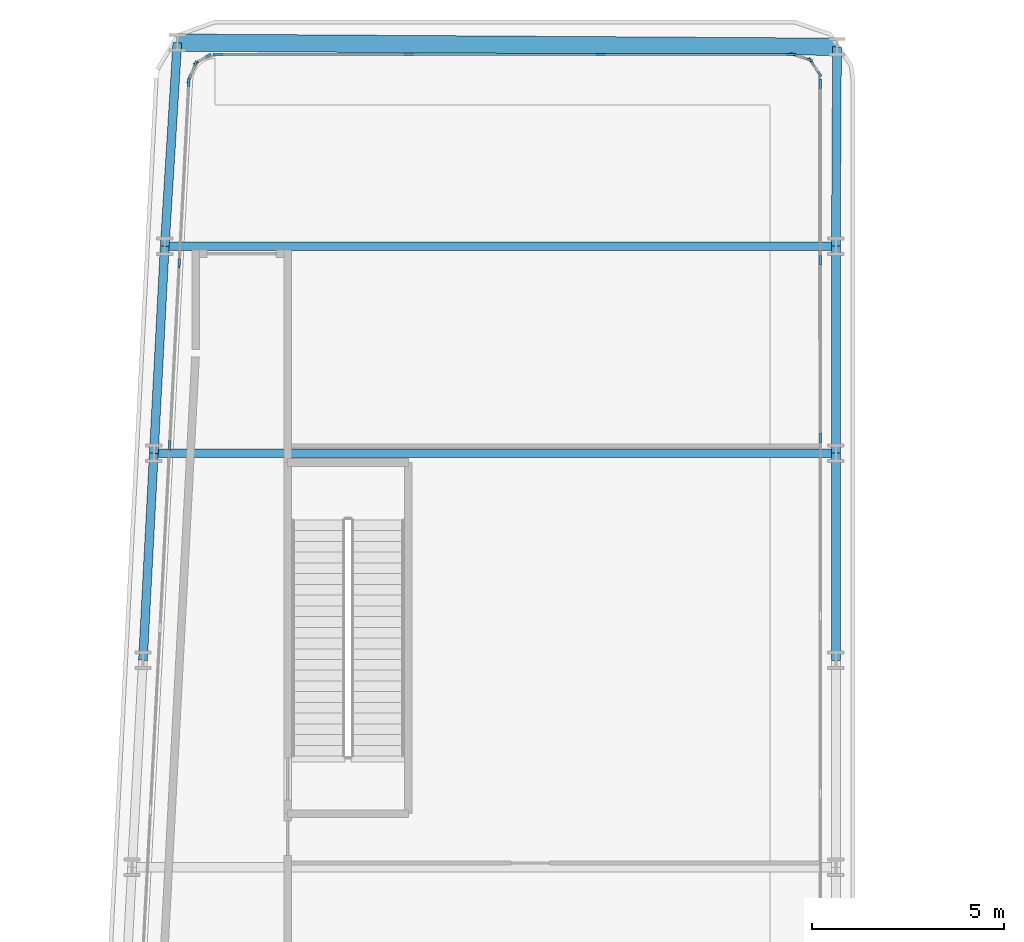
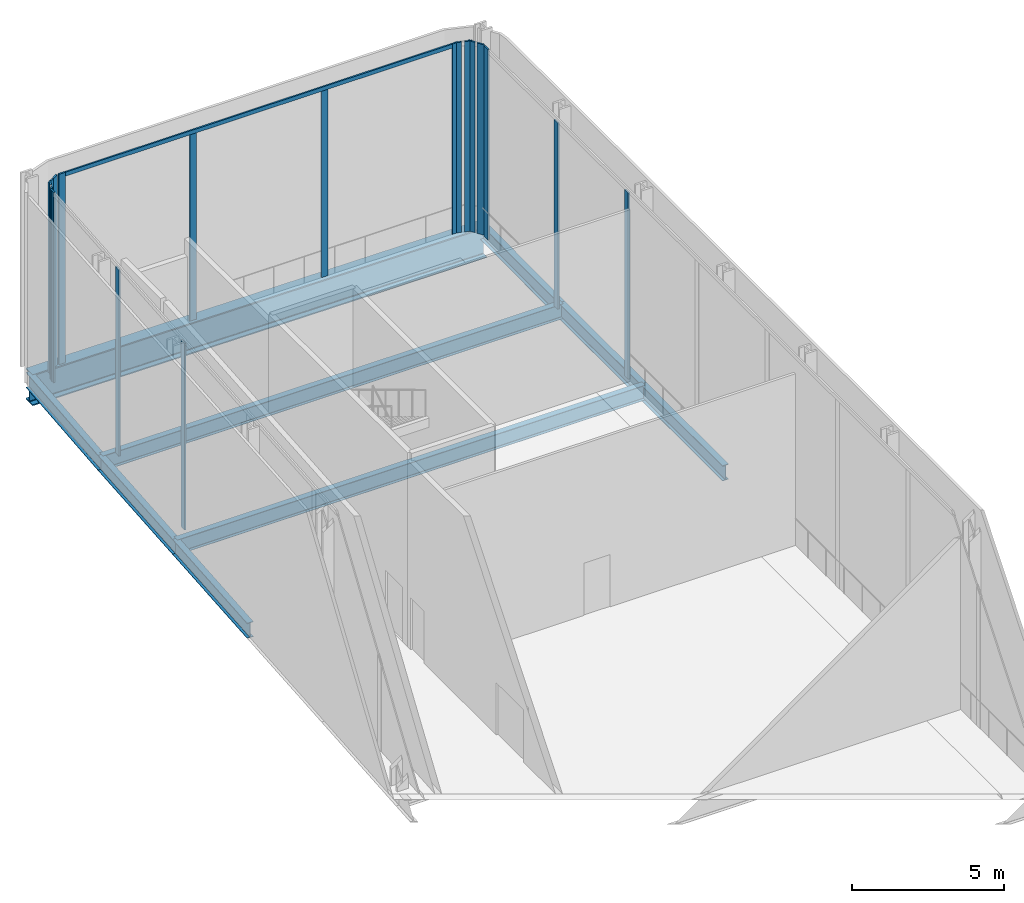
# One storey, part 16 of 36: 19 members, 9 beams, 7 elements without a shape of their own.
"""IFC4 building model written with IfcOpenShell, lengths in metres."""

from ifc_helpers import new_model, si_unit, direction, frame, origin, origin_2d, place, context, subcontext, project, spatial, rectangle, i_section, extrude, material, layer, layer_set, material_profile, profile_set, type_object, element, aggregate, save


model = new_model("IFC4")

# Units and contexts
model_context = context("Model", 3, precision=1e-05, world=origin(), true_north=direction((0.0, 1.0)))
body_context = subcontext(model_context, "Body", "Model", "MODEL_VIEW")
ifc_project = project(units=[si_unit("LENGTHUNIT", "METRE"), si_unit("AREAUNIT", "SQUARE_METRE"), si_unit("VOLUMEUNIT", "CUBIC_METRE"), si_unit("PLANEANGLEUNIT", "RADIAN"), si_unit("MASSUNIT", "GRAM", prefix="KILO")], contexts=[model_context])

# Site, building, storey
site_placement = place(None, origin())
site = spatial("IfcSite", under=ifc_project, at=site_placement, CompositionType="ELEMENT")
building_placement = place(site_placement, origin())
building = spatial("IfcBuilding", under=site, at=building_placement, Name="Kheshtan School and Residences Tower", CompositionType="ELEMENT")
storey_placement = place(building_placement, frame((0.0, 0.0, 81.199951171875)))
storey = spatial("IfcBuildingStorey", under=building, at=storey_placement, Name="L19", CompositionType="ELEMENT", Elevation=81.199951171875)

# Beams
ifc_material_1 = material(Name="Steel ASTM A992 Grade 50", Category="steel")
ifc_material_profile_1 = material_profile(ifc_material_1, i_section(OverallWidth=0.22802734375, OverallDepth=0.60302734375, WebThickness=0.010498046875, FlangeThickness=0.014892578125, FilletRadius=0.013427734375, at=origin_2d()), Name="W610x101")
ifc_profile_set_1 = profile_set([ifc_material_profile_1], Name="Steel ASTM A992 Grade 50")
beam_type_1 = type_object("IfcBeamType", Name="Beam FB5 W610x101 ASTM A992 Grade 50", PredefinedType="BEAM", material=ifc_profile_set_1)
beam_1_placement = place(storey_placement, frame((47.60009765625, 94.199951171875, -0.451416015625), z_axis=(-1.0, 0.0, 0.0), x_axis=(0.0, -1.0, 0.0)))
element("IfcBeam", 1, at=beam_1_placement, inside=storey, type_object=beam_type_1, Name="Floor beam C107", PredefinedType="BEAM", context=body_context, shape_type="SweptSolid", body=[
    extrude(i_section(OverallWidth=0.22802734375, OverallDepth=0.60302734375, WebThickness=0.010498046875, FlangeThickness=0.014892578125, FilletRadius=0.013427734375, at=origin_2d()), origin(), (0.0, 0.0, 1.0), 17.505126953125),
])
beam_2_placement = place(storey_placement, frame((29.81103515625, 88.800048828125, -0.451416015625), z_axis=(1.0, 0.0, 0.0), x_axis=(0.0, 1.0, 0.0)))
element("IfcBeam", 2, at=beam_2_placement, inside=storey, type_object=beam_type_1, Name="Floor beam C098", PredefinedType="BEAM", context=body_context, shape_type="SweptSolid", body=[
    extrude(i_section(OverallWidth=0.22802734375, OverallDepth=0.60302734375, WebThickness=0.010498046875, FlangeThickness=0.014892578125, FilletRadius=0.013427734375, at=origin_2d()), origin(), (0.0, 0.0, 1.0), 17.7890625),
])
ifc_material_profile_2 = material_profile(ifc_material_1, i_section(OverallWidth=0.22998046875, OverallDepth=0.616943359375, WebThickness=0.01318359375, FlangeThickness=0.022216796875, FilletRadius=0.0185546875, at=origin_2d()), Name="W610x140")
ifc_profile_set_2 = profile_set([ifc_material_profile_2], Name="Steel ASTM A992 Grade 50")
beam_type_2 = type_object("IfcBeamType", Name="Beam SP1 W610x140 ASTM A992 Grade 50", PredefinedType="BEAM", material=ifc_profile_set_2)
beam_3_placement = place(storey_placement, frame((47.6298828125, 99.402099609375, -0.45849609375), z_axis=(-0.005725455245, -0.999983609447, 0.0), x_axis=(0.999983609447, -0.005725455245, 0.0)))
element("IfcBeam", 3, at=beam_3_placement, inside=storey, type_object=beam_type_2, Name="Spandrel beam C113-C107", PredefinedType="BEAM", context=body_context, shape_type="SweptSolid", body=[
    extrude(i_section(OverallWidth=0.22998046875, OverallDepth=0.616943359375, WebThickness=0.01318359375, FlangeThickness=0.022216796875, FilletRadius=0.0185546875, at=origin_2d()), origin(), (0.0, 0.0, 1.0), 5.2021484375),
])
beam_4_placement = place(storey_placement, frame((47.60009765625, 94.199951171875, -0.45849609375), z_axis=(0.0, -1.0, 0.0), x_axis=(1.0, 0.0, 0.0)))
element("IfcBeam", 4, at=beam_4_placement, inside=storey, type_object=beam_type_2, Name="Spandrel beam C107-C099", PredefinedType="BEAM", context=body_context, shape_type="SweptSolid", body=[
    extrude(i_section(OverallWidth=0.22998046875, OverallDepth=0.616943359375, WebThickness=0.01318359375, FlangeThickness=0.022216796875, FilletRadius=0.0185546875, at=origin_2d()), origin(), (0.0, 0.0, 1.0), 5.39990234375),
])
beam_5_placement = place(storey_placement, frame((47.60009765625, 88.800048828125, -0.45849609375), z_axis=(0.0, -1.0, 0.0), x_axis=(1.0, 0.0, 0.0)))
element("IfcBeam", 5, at=beam_5_placement, inside=storey, type_object=beam_type_2, Name="Spandrel beam C099-C091", PredefinedType="BEAM", context=body_context, shape_type="SweptSolid", body=[
    extrude(i_section(OverallWidth=0.22998046875, OverallDepth=0.616943359375, WebThickness=0.01318359375, FlangeThickness=0.022216796875, FilletRadius=0.0185546875, at=origin_2d()), origin(), (0.0, 0.0, 1.0), 5.400146484375),
])
beam_6_placement = place(storey_placement, frame((29.527099609375, 83.39990234375, -0.45849609375), z_axis=(0.05250670125, 0.998620571751, 0.0), x_axis=(-0.998620571751, 0.05250670125, 0.0)))
element("IfcBeam", 6, at=beam_6_placement, inside=storey, type_object=beam_type_2, Name="Spandrel beam C090-C098", PredefinedType="BEAM", context=body_context, shape_type="SweptSolid", body=[
    extrude(i_section(OverallWidth=0.22998046875, OverallDepth=0.616943359375, WebThickness=0.01318359375, FlangeThickness=0.022216796875, FilletRadius=0.0185546875, at=origin_2d()), origin(), (0.0, 0.0, 1.0), 5.40771484375),
])
beam_7_placement = place(storey_placement, frame((29.81103515625, 88.800048828125, -0.45849609375), z_axis=(0.05250906864, 0.998620447272, 0.0), x_axis=(-0.998620447272, 0.05250906864, 0.0)))
element("IfcBeam", 7, at=beam_7_placement, inside=storey, type_object=beam_type_2, Name="Spandrel beam C098-C106", PredefinedType="BEAM", context=body_context, shape_type="SweptSolid", body=[
    extrude(i_section(OverallWidth=0.22998046875, OverallDepth=0.616943359375, WebThickness=0.01318359375, FlangeThickness=0.022216796875, FilletRadius=0.0185546875, at=origin_2d()), origin(), (0.0, 0.0, 1.0), 5.407470703125),
])
beam_8_placement = place(storey_placement, frame((30.094970703125, 94.199951171875, -0.45849609375), z_axis=(0.061858321816, 0.998084940284, 0.0), x_axis=(-0.998084940284, 0.061858321816, 0.0)))
element("IfcBeam", 8, at=beam_8_placement, inside=storey, type_object=beam_type_2, Name="Spandrel beam C106-C121", PredefinedType="BEAM", context=body_context, shape_type="SweptSolid", body=[
    extrude(i_section(OverallWidth=0.22998046875, OverallDepth=0.616943359375, WebThickness=0.01318359375, FlangeThickness=0.022216796875, FilletRadius=0.0185546875, at=origin_2d()), origin(), (0.0, 0.0, 1.0), 5.3203125),
])

# Curtain wall, members
ifc_material_2 = material(Name="Clear low-e glass in thermally broken aluminium frame", Category="aluminium")
ifc_layer = layer(ifc_material_2, 0.25)
ifc_layer_set = layer_set([ifc_layer], Name="Curtain wall CW-K")
curtain_wall_type = type_object("IfcCurtainWallType", Name="Curtain wall CW-K", PredefinedType="NOTDEFINED", material=ifc_layer_set)
curtain_wall_1_placement = place(storey_placement, origin())
curtain_wall_1 = element("IfcCurtainWall", 9, at=curtain_wall_1_placement, inside=storey, type_object=curtain_wall_type, Name="Curtain wall CWK18", PredefinedType="NOTDEFINED")
ifc_material_3 = material(Name="Thermally broken aluminium, dark bronze anodised", Category="aluminium")
ifc_material_profile_3 = material_profile(ifc_material_3, rectangle(XDim=0.06005859375, YDim=0.25, at=origin_2d()), Name="CW-K mullion 60x250")
ifc_profile_set_3 = profile_set([ifc_material_profile_3], Name="Thermally broken aluminium, dark bronze anodised")
member_type_1 = type_object("IfcMemberType", Name="CW-K mullion 60x250", PredefinedType="MULLION", material=ifc_profile_set_3)
member_1_placement = place(storey_placement, frame((30.221923828125, 89.001953125, 0.0), z_axis=(0.0, 0.0, 1.0), x_axis=(-0.998617497599, 0.05256513568, 0.0)))
member_1 = element("IfcMember", 10, at=member_1_placement, type_object=member_type_1, Name="CWK18 mullion 13", PredefinedType="MULLION", context=body_context, shape_type="SweptSolid", body=[
    extrude(rectangle(XDim=0.06005859375, YDim=0.25, at=origin_2d()), origin(), (0.0, 0.0, 1.0), 7.489990234375),
])
member_2_placement = place(storey_placement, frame((30.471923828125, 93.754150390625, 0.0), z_axis=(0.0, 0.0, 1.0), x_axis=(-0.998617497599, 0.05256513568, 0.0)))
member_2 = element("IfcMember", 11, at=member_2_placement, type_object=member_type_1, Name="CWK18 mullion 14", PredefinedType="MULLION", context=body_context, shape_type="SweptSolid", body=[
    extrude(rectangle(XDim=0.06005859375, YDim=0.25, at=origin_2d()), origin(), (0.0, 0.0, 1.0), 7.489990234375),
])
member_3_placement = place(storey_placement, frame((30.720458984375, 98.476318359375, 0.0), z_axis=(0.0, 0.0, 1.0), x_axis=(-0.998617497599, 0.05256513568, 0.0)))
member_3 = element("IfcMember", 12, at=member_3_placement, type_object=member_type_1, Name="CWK18 mullion 15", PredefinedType="MULLION", context=body_context, shape_type="SweptSolid", body=[
    extrude(rectangle(XDim=0.06005859375, YDim=0.25, at=origin_2d()), origin(), (0.0, 0.0, 1.0), 7.650146484375),
])
aggregate(curtain_wall_1, [member_1, member_2, member_3])

curtain_wall_2_placement = place(storey_placement, origin())
curtain_wall_2 = element("IfcCurtainWall", 13, at=curtain_wall_2_placement, inside=storey, type_object=curtain_wall_type, Name="Curtain wall CWK19", PredefinedType="NOTDEFINED")
member_4_placement = place(storey_placement, frame((30.740234375, 98.56591796875, 0.0), z_axis=(0.0, 0.0, 1.0), x_axis=(-0.928635523576, 0.370993348125, 0.0)))
member_4 = element("IfcMember", 14, at=member_4_placement, type_object=member_type_1, Name="CWK19 mullion 1", PredefinedType="MULLION", context=body_context, shape_type="SweptSolid", body=[
    extrude(rectangle(XDim=0.06005859375, YDim=0.25, at=origin_2d()), origin(), (0.0, 0.0, 1.0), 7.650146484375),
])
member_5_placement = place(storey_placement, frame((30.87890625, 98.913330078125, 0.0), z_axis=(0.0, 0.0, 1.0), x_axis=(-0.928635523576, 0.370993348125, 0.0)))
member_5 = element("IfcMember", 15, at=member_5_placement, type_object=member_type_1, Name="CWK19 mullion 2", PredefinedType="MULLION", context=body_context, shape_type="SweptSolid", body=[
    extrude(rectangle(XDim=0.06005859375, YDim=0.25, at=origin_2d()), origin(), (0.0, 0.0, 1.0), 7.650146484375),
])
aggregate(curtain_wall_2, [member_4, member_5])

curtain_wall_3_placement = place(storey_placement, origin())
curtain_wall_3 = element("IfcCurtainWall", 16, at=curtain_wall_3_placement, inside=storey, type_object=curtain_wall_type, Name="Curtain wall CWK20", PredefinedType="NOTDEFINED")
member_6_placement = place(storey_placement, frame((30.9560546875, 99.0048828125, 0.0), z_axis=(0.0, 0.0, 1.0), x_axis=(-0.52392646803, 0.851763497749, 0.0)))
member_6 = element("IfcMember", 17, at=member_6_placement, type_object=member_type_1, Name="CWK20 mullion 1", PredefinedType="MULLION", context=body_context, shape_type="SweptSolid", body=[
    extrude(rectangle(XDim=0.06005859375, YDim=0.25, at=origin_2d()), origin(), (0.0, 0.0, 1.0), 7.650146484375),
])
member_7_placement = place(storey_placement, frame((31.18310546875, 99.14453125, 0.0), z_axis=(0.0, 0.0, 1.0), x_axis=(-0.52392646803, 0.851763497749, 0.0)))
member_7 = element("IfcMember", 18, at=member_7_placement, type_object=member_type_1, Name="CWK20 mullion 2", PredefinedType="MULLION", context=body_context, shape_type="SweptSolid", body=[
    extrude(rectangle(XDim=0.06005859375, YDim=0.25, at=origin_2d()), origin(), (0.0, 0.0, 1.0), 7.650146484375),
])
aggregate(curtain_wall_3, [member_6, member_7])

curtain_wall_4_placement = place(storey_placement, origin())
curtain_wall_4 = element("IfcCurtainWall", 19, at=curtain_wall_4_placement, inside=storey, type_object=curtain_wall_type, Name="Curtain wall CWK21", PredefinedType="NOTDEFINED")
member_8_placement = place(storey_placement, frame((31.48388671875, 99.199951171875, 0.0), z_axis=(0.0, 0.0, 1.0), x_axis=(0.0, 1.0, 0.0)))
member_8 = element("IfcMember", 20, at=member_8_placement, type_object=member_type_1, Name="CWK21 mullion 1", PredefinedType="MULLION", context=body_context, shape_type="SweptSolid", body=[
    extrude(rectangle(XDim=0.06005859375, YDim=0.25, at=origin_2d()), origin(), (0.0, 0.0, 1.0), 7.650146484375),
])
member_9_placement = place(storey_placement, frame((36.459228515625, 99.199951171875, 0.0), z_axis=(0.0, 0.0, 1.0), x_axis=(0.0, 1.0, 0.0)))
member_9 = element("IfcMember", 21, at=member_9_placement, type_object=member_type_1, Name="CWK21 mullion 2", PredefinedType="MULLION", context=body_context, shape_type="SweptSolid", body=[
    extrude(rectangle(XDim=0.06005859375, YDim=0.25, at=origin_2d()), origin(), (0.0, 0.0, 1.0), 7.489990234375),
])
member_10_placement = place(storey_placement, frame((41.464599609375, 99.199951171875, 0.0), z_axis=(0.0, 0.0, 1.0), x_axis=(0.0, 1.0, 0.0)))
member_10 = element("IfcMember", 22, at=member_10_placement, type_object=member_type_1, Name="CWK21 mullion 3", PredefinedType="MULLION", context=body_context, shape_type="SweptSolid", body=[
    extrude(rectangle(XDim=0.06005859375, YDim=0.25, at=origin_2d()), origin(), (0.0, 0.0, 1.0), 7.489990234375),
])
member_11_placement = place(storey_placement, frame((46.43994140625, 99.199951171875, 0.0), z_axis=(0.0, 0.0, 1.0), x_axis=(0.0, 1.0, 0.0)))
member_11 = element("IfcMember", 23, at=member_11_placement, type_object=member_type_1, Name="CWK21 mullion 4", PredefinedType="MULLION", context=body_context, shape_type="SweptSolid", body=[
    extrude(rectangle(XDim=0.06005859375, YDim=0.25, at=origin_2d()), origin(), (0.0, 0.0, 1.0), 7.650146484375),
])

curtain_wall_5_placement = place(storey_placement, origin())
curtain_wall_5 = element("IfcCurtainWall", 24, at=curtain_wall_5_placement, inside=storey, type_object=curtain_wall_type, Name="Curtain wall CWK22", PredefinedType="NOTDEFINED")
member_12_placement = place(storey_placement, frame((46.529052734375, 99.18603515625, 0.0), z_axis=(0.0, 0.0, 1.0), x_axis=(0.303900450271, 0.952703792543, 0.0)))
member_12 = element("IfcMember", 25, at=member_12_placement, type_object=member_type_1, Name="CWK22 mullion 1", PredefinedType="MULLION", context=body_context, shape_type="SweptSolid", body=[
    extrude(rectangle(XDim=0.06005859375, YDim=0.25, at=origin_2d()), origin(), (0.0, 0.0, 1.0), 7.650146484375),
])
member_13_placement = place(storey_placement, frame((46.86669921875, 99.078369140625, 0.0), z_axis=(0.0, 0.0, 1.0), x_axis=(0.303900450271, 0.952703792543, 0.0)))
member_13 = element("IfcMember", 26, at=member_13_placement, type_object=member_type_1, Name="CWK22 mullion 2", PredefinedType="MULLION", context=body_context, shape_type="SweptSolid", body=[
    extrude(rectangle(XDim=0.06005859375, YDim=0.25, at=origin_2d()), origin(), (0.0, 0.0, 1.0), 7.650146484375),
])
aggregate(curtain_wall_5, [member_12, member_13])

curtain_wall_6_placement = place(storey_placement, origin())
curtain_wall_6 = element("IfcCurtainWall", 27, at=curtain_wall_6_placement, inside=storey, type_object=curtain_wall_type, Name="Curtain wall CWK23", PredefinedType="NOTDEFINED")
member_14_placement = place(storey_placement, frame((46.96484375, 99.004638671875, 0.0), z_axis=(0.0, 0.0, 1.0), x_axis=(0.831648992198, 0.555301678168, 0.0)))
member_14 = element("IfcMember", 28, at=member_14_placement, type_object=member_type_1, Name="CWK23 mullion 1", PredefinedType="MULLION", context=body_context, shape_type="SweptSolid", body=[
    extrude(rectangle(XDim=0.06005859375, YDim=0.25, at=origin_2d()), origin(), (0.0, 0.0, 1.0), 7.650146484375),
])
member_15_placement = place(storey_placement, frame((47.14453125, 98.735595703125, 0.0), z_axis=(0.0, 0.0, 1.0), x_axis=(0.831648992198, 0.555301678168, 0.0)))
member_15 = element("IfcMember", 29, at=member_15_placement, type_object=member_type_1, Name="CWK23 mullion 2", PredefinedType="MULLION", context=body_context, shape_type="SweptSolid", body=[
    extrude(rectangle(XDim=0.06005859375, YDim=0.25, at=origin_2d()), origin(), (0.0, 0.0, 1.0), 7.650146484375),
])
aggregate(curtain_wall_6, [member_14, member_15])

curtain_wall_7_placement = place(storey_placement, origin())
curtain_wall_7 = element("IfcCurtainWall", 30, at=curtain_wall_7_placement, inside=storey, type_object=curtain_wall_type, Name="Curtain wall CWK24", PredefinedType="NOTDEFINED")
member_16_placement = place(storey_placement, frame((47.199951171875, 98.43994140625, 0.0), z_axis=(0.0, 0.0, 1.0), x_axis=(1.0, 0.0, 0.0)))
member_16 = element("IfcMember", 31, at=member_16_placement, type_object=member_type_1, Name="CWK24 mullion 1", PredefinedType="MULLION", context=body_context, shape_type="SweptSolid", body=[
    extrude(rectangle(XDim=0.06005859375, YDim=0.25, at=origin_2d()), origin(), (0.0, 0.0, 1.0), 7.650146484375),
])
member_17_placement = place(storey_placement, frame((47.199951171875, 93.83349609375, 0.0), z_axis=(0.0, 0.0, 1.0), x_axis=(1.0, 0.0, 0.0)))
member_17 = element("IfcMember", 32, at=member_17_placement, type_object=member_type_1, Name="CWK24 mullion 2", PredefinedType="MULLION", context=body_context, shape_type="SweptSolid", body=[
    extrude(rectangle(XDim=0.06005859375, YDim=0.25, at=origin_2d()), origin(), (0.0, 0.0, 1.0), 7.489990234375),
])
member_18_placement = place(storey_placement, frame((47.199951171875, 89.197021484375, 0.0), z_axis=(0.0, 0.0, 1.0), x_axis=(1.0, 0.0, 0.0)))
member_18 = element("IfcMember", 33, at=member_18_placement, type_object=member_type_1, Name="CWK24 mullion 3", PredefinedType="MULLION", context=body_context, shape_type="SweptSolid", body=[
    extrude(rectangle(XDim=0.06005859375, YDim=0.25, at=origin_2d()), origin(), (0.0, 0.0, 1.0), 7.489990234375),
])
aggregate(curtain_wall_7, [member_16, member_17, member_18])

# Member
ifc_material_profile_4 = material_profile(ifc_material_3, rectangle(XDim=0.06005859375, YDim=0.159912109375, at=origin_2d()), Name="CW-K transom 60x160")
ifc_profile_set_4 = profile_set([ifc_material_profile_4], Name="Thermally broken aluminium, dark bronze anodised")
member_type_2 = type_object("IfcMemberType", Name="CW-K transom 60x160", PredefinedType="USERDEFINED", material=ifc_profile_set_4)
member_19_placement = place(storey_placement, frame((31.513916015625, 99.199951171875, 7.570068359375), z_axis=(1.0, 0.0, 0.0), x_axis=(0.0, 1.0, 0.0)))
member_19 = element("IfcMember", 34, at=member_19_placement, type_object=member_type_2, Name="CWK21 transom 1", ObjectType="TRANSOM", PredefinedType="USERDEFINED", context=body_context, shape_type="SweptSolid", body=[
    extrude(rectangle(XDim=0.06005859375, YDim=0.159912109375, at=origin_2d()), origin(), (0.0, 0.0, 1.0), 14.89599609375),
])

aggregate(curtain_wall_4, [member_8, member_9, member_10, member_11, member_19])

# Beam
ifc_material_profile_5 = material_profile(ifc_material_1, i_section(OverallWidth=0.449951171875, OverallDepth=1.25, WebThickness=0.02490234375, FlangeThickness=0.044921875, FilletRadius=0.03759765625, at=origin_2d()), Name="WWF1250x546")
ifc_profile_set_5 = profile_set([ifc_material_profile_5], Name="Steel ASTM A992 Grade 50")
beam_type_3 = type_object("IfcBeamType", Name="Transfer girder TG4 WWF1250x546 ASTM A992 Grade 50", PredefinedType="BEAM", material=ifc_profile_set_5)
beam_9_placement = place(storey_placement, frame((30.424072265625, 99.510009765625, -0.77490234375), z_axis=(0.999980333297, -0.006271604219, 0.0), x_axis=(0.006271604219, 0.999980333297, 0.0)))
element("IfcBeam", 35, at=beam_9_placement, inside=storey, type_object=beam_type_3, Name="Transfer girder C121-C113", PredefinedType="BEAM", context=body_context, shape_type="SweptSolid", body=[
    extrude(i_section(OverallWidth=0.449951171875, OverallDepth=1.25, WebThickness=0.02490234375, FlangeThickness=0.044921875, FilletRadius=0.03759765625, at=origin_2d()), origin(), (0.0, 0.0, 1.0), 17.2060546875),
])

save(model, "model.ifc")
